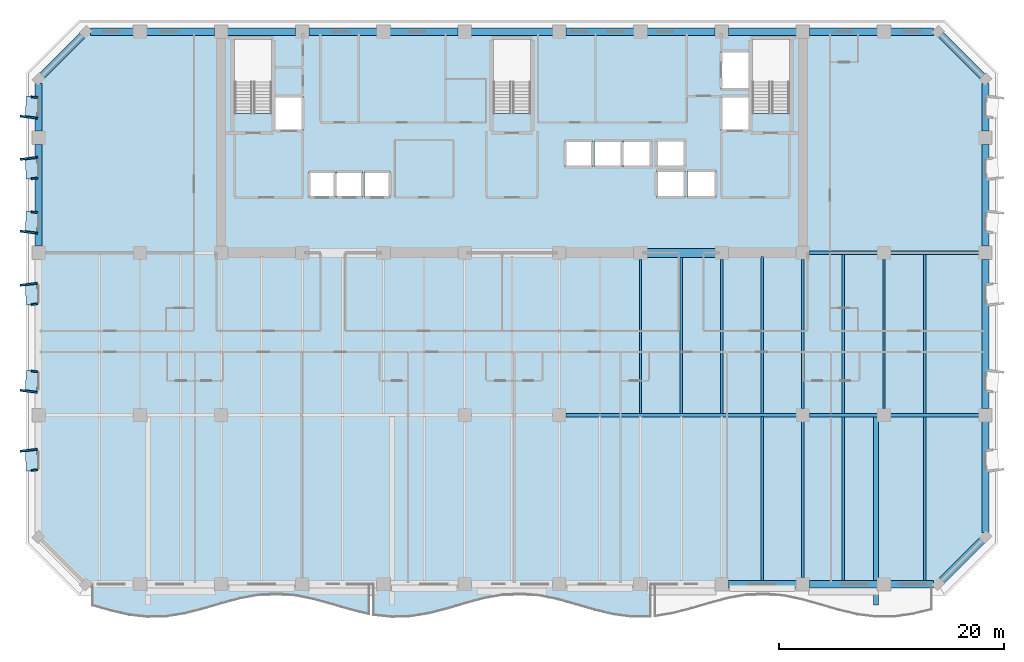
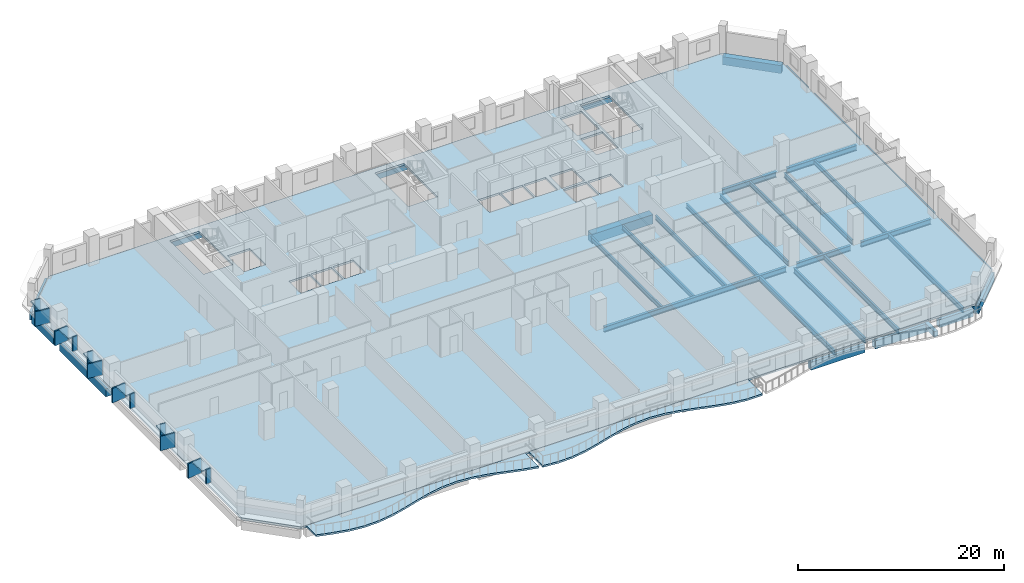
# One storey, part 2 of 14: 42 beams, 18 plates, 3 slabs.
"""IFC4 building model written with IfcOpenShell, lengths in metres."""

from ifc_helpers import new_model, si_unit, direction, frame, origin, origin_2d, place, context, subcontext, project, spatial, polyline, rectangle, i_section, outline, extrude, material, layer, layer_set, material_profile, profile_set, type_object, element, save


model = new_model("IFC4")

# Units and contexts
model_context = context("Model", 3, precision=1e-05, world=origin(), true_north=direction((0.0, 1.0)))
body_context = subcontext(model_context, "Body", "Model", "MODEL_VIEW")
ifc_project = project(units=[si_unit("LENGTHUNIT", "METRE"), si_unit("AREAUNIT", "SQUARE_METRE"), si_unit("VOLUMEUNIT", "CUBIC_METRE"), si_unit("PLANEANGLEUNIT", "RADIAN"), si_unit("MASSUNIT", "GRAM", prefix="KILO")], contexts=[model_context])

# Site, building, storey
site_placement = place(None, origin())
site = spatial("IfcSite", under=ifc_project, at=site_placement, CompositionType="ELEMENT")
building_placement = place(site_placement, origin())
building = spatial("IfcBuilding", under=site, at=building_placement, Name="Kaelvorn Grand Hotel", CompositionType="ELEMENT")
storey_placement = place(building_placement, frame((0.0, 0.0, 93.050048828125)))
storey = spatial("IfcBuildingStorey", under=building, at=storey_placement, Name="L21", CompositionType="ELEMENT", Elevation=93.050048828125)

# Beams
ifc_material_1 = material(Name="Steel S355", Category="steel")
ifc_material_profile_1 = material_profile(ifc_material_1, i_section(OverallWidth=0.300048828125, OverallDepth=0.64990234375, WebThickness=0.01611328125, FlangeThickness=0.031005859375, FilletRadius=0.027099609375, at=origin_2d()), Name="HEB 650")
ifc_profile_set_1 = profile_set([ifc_material_profile_1], Name="Steel S355")
beam_type_1 = type_object("IfcBeamType", Name="BM-G-HEB650-S355", PredefinedType="BEAM", material=ifc_profile_set_1)
beam_1_placement = place(storey_placement, frame((46.784912109375, 15.0, -0.56494140625), z_axis=(1.0, 0.0, 0.0), x_axis=(0.0, 1.0, 0.0)))
element("IfcBeam", 1, at=beam_1_placement, inside=storey, type_object=beam_type_1, Name="L21 Primary Spine Steel Girder G-15 05", PredefinedType="BEAM", context=body_context, shape_type="SweptSolid", body=[
    extrude(i_section(OverallWidth=0.300048828125, OverallDepth=0.64990234375, WebThickness=0.01611328125, FlangeThickness=0.031005859375, FilletRadius=0.027099609375, at=origin_2d()), origin(), (0.0, 0.0, 1.0), 20.43017578125),
])
beam_2_placement = place(storey_placement, frame((68.385009765625, 15.0, -0.56494140625), z_axis=(1.0, 0.0, 0.0), x_axis=(0.0, 1.0, 0.0)))
element("IfcBeam", 2, at=beam_2_placement, inside=storey, type_object=beam_type_1, Name="L21 Primary Spine Steel Girder G-15 06", PredefinedType="BEAM", context=body_context, shape_type="SweptSolid", body=[
    extrude(i_section(OverallWidth=0.300048828125, OverallDepth=0.64990234375, WebThickness=0.01611328125, FlangeThickness=0.031005859375, FilletRadius=0.027099609375, at=origin_2d()), origin(), (0.0, 0.0, 1.0), 6.030029296875),
])
beam_3_placement = place(storey_placement, frame((75.5849609375, 15.0, -0.56494140625), z_axis=(1.0, 0.0, 0.0), x_axis=(0.0, 1.0, 0.0)))
element("IfcBeam", 3, at=beam_3_placement, inside=storey, type_object=beam_type_1, Name="L21 Primary Spine Steel Girder G-15 07", PredefinedType="BEAM", context=body_context, shape_type="SweptSolid", body=[
    extrude(i_section(OverallWidth=0.300048828125, OverallDepth=0.64990234375, WebThickness=0.01611328125, FlangeThickness=0.031005859375, FilletRadius=0.027099609375, at=origin_2d()), origin(), (0.0, 0.0, 1.0), 7.830078125),
])
beam_4_placement = place(storey_placement, frame((68.385009765625, 29.39990234375, -0.56494140625), z_axis=(1.0, 0.0, 0.0), x_axis=(0.0, 1.0, 0.0)))
element("IfcBeam", 4, at=beam_4_placement, inside=storey, type_object=beam_type_1, Name="L21 East Core Wing Steel Girder G-29E 01", PredefinedType="BEAM", context=body_context, shape_type="SweptSolid", body=[
    extrude(i_section(OverallWidth=0.300048828125, OverallDepth=0.64990234375, WebThickness=0.01611328125, FlangeThickness=0.031005859375, FilletRadius=0.027099609375, at=origin_2d()), origin(), (0.0, 0.0, 1.0), 6.030029296875),
])
beam_5_placement = place(storey_placement, frame((75.5849609375, 29.39990234375, -0.56494140625), z_axis=(1.0, 0.0, 0.0), x_axis=(0.0, 1.0, 0.0)))
element("IfcBeam", 5, at=beam_5_placement, inside=storey, type_object=beam_type_1, Name="L21 East Core Wing Steel Girder G-29E 02", PredefinedType="BEAM", context=body_context, shape_type="SweptSolid", body=[
    extrude(i_section(OverallWidth=0.300048828125, OverallDepth=0.64990234375, WebThickness=0.01611328125, FlangeThickness=0.031005859375, FilletRadius=0.027099609375, at=origin_2d()), origin(), (0.0, 0.0, 1.0), 7.830078125),
])
ifc_material_profile_2 = material_profile(ifc_material_1, i_section(OverallWidth=0.209228515625, OverallDepth=0.533203125, WebThickness=0.010009765625, FlangeThickness=0.015625, FilletRadius=0.0126953125, at=origin_2d()), Name="UB 533x210x92")
ifc_profile_set_2 = profile_set([ifc_material_profile_2], Name="Steel S355")
beam_type_2 = type_object("IfcBeamType", Name="BM-J-UB533-S355", PredefinedType="JOIST", material=ifc_profile_set_2)
beam_6_placement = place(storey_placement, frame((53.39990234375, 15.135009765625, -0.506591796875), z_axis=(0.0, 1.0, 0.0), x_axis=(-1.0, 0.0, 0.0)))
element("IfcBeam", 6, at=beam_6_placement, inside=storey, type_object=beam_type_2, Name="L21 Composite Floor Joist JM-15", PredefinedType="JOIST", context=body_context, shape_type="SweptSolid", body=[
    extrude(i_section(OverallWidth=0.209228515625, OverallDepth=0.533203125, WebThickness=0.010009765625, FlangeThickness=0.015625, FilletRadius=0.0126953125, at=origin_2d()), origin(), (0.0, 0.0, 1.0), 13.679931640625),
])
beam_7_placement = place(storey_placement, frame((57.0, 15.135009765625, -0.506591796875), z_axis=(0.0, 1.0, 0.0), x_axis=(-1.0, 0.0, 0.0)))
element("IfcBeam", 7, at=beam_7_placement, inside=storey, type_object=beam_type_2, Name="L21 Composite Floor Joist JM-16", PredefinedType="JOIST", context=body_context, shape_type="SweptSolid", body=[
    extrude(i_section(OverallWidth=0.209228515625, OverallDepth=0.533203125, WebThickness=0.010009765625, FlangeThickness=0.015625, FilletRadius=0.0126953125, at=origin_2d()), origin(), (0.0, 0.0, 1.0), 13.925048828125),
])
beam_8_placement = place(storey_placement, frame((60.60009765625, 15.135009765625, -0.506591796875), z_axis=(0.0, 1.0, 0.0), x_axis=(-1.0, 0.0, 0.0)))
element("IfcBeam", 8, at=beam_8_placement, inside=storey, type_object=beam_type_2, Name="L21 Composite Floor Joist JM-17", PredefinedType="JOIST", context=body_context, shape_type="SweptSolid", body=[
    extrude(i_section(OverallWidth=0.209228515625, OverallDepth=0.533203125, WebThickness=0.010009765625, FlangeThickness=0.015625, FilletRadius=0.0126953125, at=origin_2d()), origin(), (0.0, 0.0, 1.0), 13.679931640625),
])
beam_9_placement = place(storey_placement, frame((64.199951171875, 15.135009765625, -0.506591796875), z_axis=(0.0, 1.0, 0.0), x_axis=(-1.0, 0.0, 0.0)))
element("IfcBeam", 9, at=beam_9_placement, inside=storey, type_object=beam_type_2, Name="L21 Composite Floor Joist JM-18", PredefinedType="JOIST", context=body_context, shape_type="SweptSolid", body=[
    extrude(i_section(OverallWidth=0.209228515625, OverallDepth=0.533203125, WebThickness=0.010009765625, FlangeThickness=0.015625, FilletRadius=0.0126953125, at=origin_2d()), origin(), (0.0, 0.0, 1.0), 13.925048828125),
])
beam_10_placement = place(storey_placement, frame((67.800048828125, 15.5849609375, -0.506591796875), z_axis=(0.0, 1.0, 0.0), x_axis=(-1.0, 0.0, 0.0)))
element("IfcBeam", 10, at=beam_10_placement, inside=storey, type_object=beam_type_2, Name="L21 Composite Floor Joist JM-19", PredefinedType="JOIST", context=body_context, shape_type="SweptSolid", body=[
    extrude(i_section(OverallWidth=0.209228515625, OverallDepth=0.533203125, WebThickness=0.010009765625, FlangeThickness=0.015625, FilletRadius=0.0126953125, at=origin_2d()), origin(), (0.0, 0.0, 1.0), 13.22998046875),
])
beam_11_placement = place(storey_placement, frame((71.39990234375, 15.135009765625, -0.506591796875), z_axis=(0.0, 1.0, 0.0), x_axis=(-1.0, 0.0, 0.0)))
element("IfcBeam", 11, at=beam_11_placement, inside=storey, type_object=beam_type_2, Name="L21 Composite Floor Joist JM-20", PredefinedType="JOIST", context=body_context, shape_type="SweptSolid", body=[
    extrude(i_section(OverallWidth=0.209228515625, OverallDepth=0.533203125, WebThickness=0.010009765625, FlangeThickness=0.015625, FilletRadius=0.0126953125, at=origin_2d()), origin(), (0.0, 0.0, 1.0), 14.1298828125),
])
beam_12_placement = place(storey_placement, frame((75.0, 15.5849609375, -0.506591796875), z_axis=(0.0, 1.0, 0.0), x_axis=(-1.0, 0.0, 0.0)))
element("IfcBeam", 12, at=beam_12_placement, inside=storey, type_object=beam_type_2, Name="L21 Composite Floor Joist JM-21", PredefinedType="JOIST", context=body_context, shape_type="SweptSolid", body=[
    extrude(i_section(OverallWidth=0.209228515625, OverallDepth=0.533203125, WebThickness=0.010009765625, FlangeThickness=0.015625, FilletRadius=0.0126953125, at=origin_2d()), origin(), (0.0, 0.0, 1.0), 13.22998046875),
])
beam_13_placement = place(storey_placement, frame((78.60009765625, 15.135009765625, -0.506591796875), z_axis=(0.0, 1.0, 0.0), x_axis=(-1.0, 0.0, 0.0)))
element("IfcBeam", 13, at=beam_13_placement, inside=storey, type_object=beam_type_2, Name="L21 Composite Floor Joist JM-22", PredefinedType="JOIST", context=body_context, shape_type="SweptSolid", body=[
    extrude(i_section(OverallWidth=0.209228515625, OverallDepth=0.533203125, WebThickness=0.010009765625, FlangeThickness=0.015625, FilletRadius=0.0126953125, at=origin_2d()), origin(), (0.0, 0.0, 1.0), 14.1298828125),
])
ifc_material_profile_3 = material_profile(ifc_material_1, i_section(OverallWidth=0.22900390625, OverallDepth=0.6123046875, WebThickness=0.011962890625, FlangeThickness=0.01953125, FilletRadius=0.0126953125, at=origin_2d()), Name="UB 610x229x125")
ifc_profile_set_3 = profile_set([ifc_material_profile_3], Name="Steel S355")
beam_type_3 = type_object("IfcBeamType", Name="BM-J-UB610-S355", PredefinedType="JOIST", material=ifc_profile_set_3)
beam_14_placement = place(storey_placement, frame((64.199951171875, 0.31005859375, -0.546142578125), z_axis=(0.0, 1.0, 0.0), x_axis=(-1.0, 0.0, 0.0)))
element("IfcBeam", 14, at=beam_14_placement, inside=storey, type_object=beam_type_3, Name="L21 Composite Floor Joist JS-18", PredefinedType="JOIST", context=body_context, shape_type="SweptSolid", body=[
    extrude(i_section(OverallWidth=0.22900390625, OverallDepth=0.6123046875, WebThickness=0.011962890625, FlangeThickness=0.01953125, FilletRadius=0.0126953125, at=origin_2d()), origin(), (0.0, 0.0, 1.0), 14.554931640625),
])
beam_15_placement = place(storey_placement, frame((67.800048828125, 0.5849609375, -0.546142578125), z_axis=(0.0, 1.0, 0.0), x_axis=(-1.0, 0.0, 0.0)))
element("IfcBeam", 15, at=beam_15_placement, inside=storey, type_object=beam_type_3, Name="L21 Composite Floor Joist JS-19", PredefinedType="JOIST", context=body_context, shape_type="SweptSolid", body=[
    extrude(i_section(OverallWidth=0.22900390625, OverallDepth=0.6123046875, WebThickness=0.011962890625, FlangeThickness=0.01953125, FilletRadius=0.0126953125, at=origin_2d()), origin(), (0.0, 0.0, 1.0), 13.830078125),
])
for number, where, z_axis, x_axis, name in (
    (16, (71.39990234375, 0.31005859375, -0.546142578125), (0.0, 1.0, 0.0), (-1.0, 0.0, 0.0), "L21 Composite Floor Joist JS-20"),
    (17, (78.60009765625, 0.31005859375, -0.546142578125), (0.0, 1.0, 0.0), (-1.0, 0.0, 0.0), "L21 Composite Floor Joist JS-22"),
):
    element("IfcBeam", number, at=place(storey_placement, frame(where, z_axis=z_axis, x_axis=x_axis)), inside=storey, type_object=beam_type_3, Name=name, PredefinedType="JOIST", context=body_context, shape_type="SweptSolid", body=[
        extrude(i_section(OverallWidth=0.22900390625, OverallDepth=0.6123046875, WebThickness=0.011962890625, FlangeThickness=0.01953125, FilletRadius=0.0126953125, at=origin_2d()), origin(), (0.0, 0.0, 1.0), 14.554931640625),
    ])
ifc_material_2 = material(Name="Concrete C60/75", Category="concrete")
ifc_material_profile_4 = material_profile(ifc_material_2, rectangle(XDim=0.800048828125, YDim=1.10009765625, at=origin_2d()), Name="RC LINTEL 800x1100")
ifc_profile_set_4 = profile_set([ifc_material_profile_4], Name="Concrete C60/75")
beam_type_4 = type_object("IfcBeamType", Name="BM-LIN-800x1100-C60", PredefinedType="LINTEL", material=ifc_profile_set_4)
beam_16_placement = place(storey_placement, frame((53.580078125, 29.39990234375, -0.7900390625), z_axis=(1.0, 0.0, 0.0), x_axis=(0.0, 1.0, 0.0)))
element("IfcBeam", 18, at=beam_16_placement, inside=storey, type_object=beam_type_4, Name="L21 Rear-Core Coupling Lintel Beam CB1-03", PredefinedType="LINTEL", context=body_context, shape_type="SweptSolid", body=[
    extrude(rectangle(XDim=0.800048828125, YDim=1.10009765625, at=origin_2d()), origin(), (0.0, 0.0, 1.0), 6.83984375),
])
ifc_material_3 = material(Name="Concrete C40/50", Category="concrete")
ifc_material_profile_5 = material_profile(ifc_material_3, rectangle(XDim=0.449951171875, YDim=0.64990234375, at=origin_2d()), Name="RC RIB 450x650")
ifc_profile_set_5 = profile_set([ifc_material_profile_5], Name="Concrete C40/50")
beam_type_5 = type_object("IfcBeamType", Name="BM-RIB-450x650-C40", PredefinedType="SPANDREL", material=ifc_profile_set_5)
beam_17_placement = place(storey_placement, frame((74.293212890625, -1.85009765625, -0.545166015625), z_axis=(0.0, 1.0, 0.0), x_axis=(-1.0, 0.0, 0.0)))
element("IfcBeam", 19, at=beam_17_placement, inside=storey, type_object=beam_type_5, Name="L21 Cantilevered Balcony Back-Span Rib RB1-3", PredefinedType="SPANDREL", context=body_context, shape_type="SweptSolid", body=[
    extrude(rectangle(XDim=0.449951171875, YDim=0.64990234375, at=origin_2d()), origin(), (0.0, 0.0, 1.0), 16.715087890625),
])
ifc_material_profile_6 = material_profile(ifc_material_2, rectangle(XDim=0.64990234375, YDim=0.949951171875, at=origin_2d()), Name="RC SPANDREL 650x950")
ifc_profile_set_6 = profile_set([ifc_material_profile_6], Name="Concrete C60/75")
beam_type_6 = type_object("IfcBeamType", Name="BM-SP-650x950-C60", PredefinedType="SPANDREL", material=ifc_profile_set_6)
for number, where, z_axis, x_axis, name in (
    (20, (61.18505859375, 0.0, -0.715087890625), (1.0, 0.0, 0.0), (0.0, 1.0, 0.0), "L21 South Perimeter Spandrel 09"),
    (21, (68.385009765625, 0.0, -0.715087890625), (1.0, 0.0, 0.0), (0.0, 1.0, 0.0), "L21 South Perimeter Spandrel 10"),
):
    element("IfcBeam", number, at=place(storey_placement, frame(where, z_axis=z_axis, x_axis=x_axis)), inside=storey, type_object=beam_type_6, Name=name, PredefinedType="SPANDREL", context=body_context, shape_type="SweptSolid", body=[
        extrude(rectangle(XDim=0.64990234375, YDim=0.949951171875, at=origin_2d()), origin(), (0.0, 0.0, 1.0), 6.030029296875),
    ])
for number, where, z_axis, x_axis, name in (
    (22, (75.5849609375, 0.0, -0.715087890625), (1.0, 0.0, 0.0), (0.0, 1.0, 0.0), "L21 South Perimeter Spandrel 11"),
    (23, (4.60498046875, 49.0, -0.715087890625), (1.0, 0.0, 0.0), (0.0, 1.0, 0.0), "L21 North Perimeter Spandrel 01"),
):
    element("IfcBeam", number, at=place(storey_placement, frame(where, z_axis=z_axis, x_axis=x_axis)), inside=storey, type_object=beam_type_6, Name=name, PredefinedType="SPANDREL", context=body_context, shape_type="SweptSolid", body=[
        extrude(rectangle(XDim=0.64990234375, YDim=0.949951171875, at=origin_2d()), origin(), (0.0, 0.0, 1.0), 3.81005859375),
    ])
for number, where, z_axis, x_axis, name in (
    (24, (9.5849609375, 49.0, -0.715087890625), (1.0, 0.0, 0.0), (0.0, 1.0, 0.0), "L21 North Perimeter Spandrel 02"),
    (25, (16.784912109375, 49.0, -0.715087890625), (1.0, 0.0, 0.0), (0.0, 1.0, 0.0), "L21 North Perimeter Spandrel 03"),
):
    element("IfcBeam", number, at=place(storey_placement, frame(where, z_axis=z_axis, x_axis=x_axis)), inside=storey, type_object=beam_type_6, Name=name, PredefinedType="SPANDREL", context=body_context, shape_type="SweptSolid", body=[
        extrude(rectangle(XDim=0.64990234375, YDim=0.949951171875, at=origin_2d()), origin(), (0.0, 0.0, 1.0), 6.030029296875),
    ])
beam_18_placement = place(storey_placement, frame((23.985107421875, 49.0, -0.715087890625), z_axis=(1.0, 0.0, 0.0), x_axis=(0.0, 1.0, 0.0)))
element("IfcBeam", 26, at=beam_18_placement, inside=storey, type_object=beam_type_6, Name="L21 North Perimeter Spandrel 04", PredefinedType="SPANDREL", context=body_context, shape_type="SweptSolid", body=[
    extrude(rectangle(XDim=0.64990234375, YDim=0.949951171875, at=origin_2d()), origin(), (0.0, 0.0, 1.0), 6.02978515625),
])
beam_19_placement = place(storey_placement, frame((31.18505859375, 49.0, -0.715087890625), z_axis=(1.0, 0.0, 0.0), x_axis=(0.0, 1.0, 0.0)))
element("IfcBeam", 27, at=beam_19_placement, inside=storey, type_object=beam_type_6, Name="L21 North Perimeter Spandrel 05", PredefinedType="SPANDREL", context=body_context, shape_type="SweptSolid", body=[
    extrude(rectangle(XDim=0.64990234375, YDim=0.949951171875, at=origin_2d()), origin(), (0.0, 0.0, 1.0), 6.030029296875),
])
beam_20_placement = place(storey_placement, frame((38.385009765625, 49.0, -0.715087890625), z_axis=(1.0, 0.0, 0.0), x_axis=(0.0, 1.0, 0.0)))
element("IfcBeam", 28, at=beam_20_placement, inside=storey, type_object=beam_type_6, Name="L21 North Perimeter Spandrel 06", PredefinedType="SPANDREL", context=body_context, shape_type="SweptSolid", body=[
    extrude(rectangle(XDim=0.64990234375, YDim=0.949951171875, at=origin_2d()), origin(), (0.0, 0.0, 1.0), 7.22998046875),
])
beam_21_placement = place(storey_placement, frame((46.784912109375, 49.0, -0.715087890625), z_axis=(1.0, 0.0, 0.0), x_axis=(0.0, 1.0, 0.0)))
element("IfcBeam", 29, at=beam_21_placement, inside=storey, type_object=beam_type_6, Name="L21 North Perimeter Spandrel 07", PredefinedType="SPANDREL", context=body_context, shape_type="SweptSolid", body=[
    extrude(rectangle(XDim=0.64990234375, YDim=0.949951171875, at=origin_2d()), origin(), (0.0, 0.0, 1.0), 6.030029296875),
])
beam_22_placement = place(storey_placement, frame((53.985107421875, 49.0, -0.715087890625), z_axis=(1.0, 0.0, 0.0), x_axis=(0.0, 1.0, 0.0)))
element("IfcBeam", 30, at=beam_22_placement, inside=storey, type_object=beam_type_6, Name="L21 North Perimeter Spandrel 08", PredefinedType="SPANDREL", context=body_context, shape_type="SweptSolid", body=[
    extrude(rectangle(XDim=0.64990234375, YDim=0.949951171875, at=origin_2d()), origin(), (0.0, 0.0, 1.0), 6.02978515625),
])
for number, where, z_axis, x_axis, name in (
    (31, (61.18505859375, 49.0, -0.715087890625), (1.0, 0.0, 0.0), (0.0, 1.0, 0.0), "L21 North Perimeter Spandrel 09"),
    (32, (68.385009765625, 49.0, -0.715087890625), (1.0, 0.0, 0.0), (0.0, 1.0, 0.0), "L21 North Perimeter Spandrel 10"),
):
    element("IfcBeam", number, at=place(storey_placement, frame(where, z_axis=z_axis, x_axis=x_axis)), inside=storey, type_object=beam_type_6, Name=name, PredefinedType="SPANDREL", context=body_context, shape_type="SweptSolid", body=[
        extrude(rectangle(XDim=0.64990234375, YDim=0.949951171875, at=origin_2d()), origin(), (0.0, 0.0, 1.0), 6.030029296875),
    ])
beam_23_placement = place(storey_placement, frame((75.5849609375, 49.0, -0.715087890625), z_axis=(1.0, 0.0, 0.0), x_axis=(0.0, 1.0, 0.0)))
element("IfcBeam", 33, at=beam_23_placement, inside=storey, type_object=beam_type_6, Name="L21 North Perimeter Spandrel 11", PredefinedType="SPANDREL", context=body_context, shape_type="SweptSolid", body=[
    extrude(rectangle(XDim=0.64990234375, YDim=0.949951171875, at=origin_2d()), origin(), (0.0, 0.0, 1.0), 3.81005859375),
])
beam_24_placement = place(storey_placement, frame((0.0, 29.985107421875, -0.715087890625), z_axis=(0.0, 1.0, 0.0), x_axis=(-1.0, 0.0, 0.0)))
element("IfcBeam", 34, at=beam_24_placement, inside=storey, type_object=beam_type_6, Name="L21 West Perimeter Spandrel 03", PredefinedType="SPANDREL", context=body_context, shape_type="SweptSolid", body=[
    extrude(rectangle(XDim=0.64990234375, YDim=0.949951171875, at=origin_2d()), origin(), (0.0, 0.0, 1.0), 9.02978515625),
])
beam_25_placement = place(storey_placement, frame((0.0, 40.18505859375, -0.715087890625), z_axis=(0.0, 1.0, 0.0), x_axis=(-1.0, 0.0, 0.0)))
element("IfcBeam", 35, at=beam_25_placement, inside=storey, type_object=beam_type_6, Name="L21 West Perimeter Spandrel 04", PredefinedType="SPANDREL", context=body_context, shape_type="SweptSolid", body=[
    extrude(rectangle(XDim=0.64990234375, YDim=0.949951171875, at=origin_2d()), origin(), (0.0, 0.0, 1.0), 4.2099609375),
])
beam_26_placement = place(storey_placement, frame((84.0, 4.60498046875, -0.715087890625), z_axis=(0.0, 1.0, 0.0), x_axis=(-1.0, 0.0, 0.0)))
element("IfcBeam", 36, at=beam_26_placement, inside=storey, type_object=beam_type_6, Name="L21 East Perimeter Spandrel 01", PredefinedType="SPANDREL", context=body_context, shape_type="SweptSolid", body=[
    extrude(rectangle(XDim=0.64990234375, YDim=0.949951171875, at=origin_2d()), origin(), (0.0, 0.0, 1.0), 9.81005859375),
])
beam_27_placement = place(storey_placement, frame((84.0, 15.5849609375, -0.715087890625), z_axis=(0.0, 1.0, 0.0), x_axis=(-1.0, 0.0, 0.0)))
element("IfcBeam", 37, at=beam_27_placement, inside=storey, type_object=beam_type_6, Name="L21 East Perimeter Spandrel 02", PredefinedType="SPANDREL", context=body_context, shape_type="SweptSolid", body=[
    extrude(rectangle(XDim=0.64990234375, YDim=0.949951171875, at=origin_2d()), origin(), (0.0, 0.0, 1.0), 13.22998046875),
])
beam_28_placement = place(storey_placement, frame((84.0, 29.985107421875, -0.715087890625), z_axis=(0.0, 1.0, 0.0), x_axis=(-1.0, 0.0, 0.0)))
element("IfcBeam", 38, at=beam_28_placement, inside=storey, type_object=beam_type_6, Name="L21 East Perimeter Spandrel 03", PredefinedType="SPANDREL", context=body_context, shape_type="SweptSolid", body=[
    extrude(rectangle(XDim=0.64990234375, YDim=0.949951171875, at=origin_2d()), origin(), (0.0, 0.0, 1.0), 9.02978515625),
])
beam_29_placement = place(storey_placement, frame((84.0, 40.18505859375, -0.715087890625), z_axis=(0.0, 1.0, 0.0), x_axis=(-1.0, 0.0, 0.0)))
element("IfcBeam", 39, at=beam_29_placement, inside=storey, type_object=beam_type_6, Name="L21 East Perimeter Spandrel 04", PredefinedType="SPANDREL", context=body_context, shape_type="SweptSolid", body=[
    extrude(rectangle(XDim=0.64990234375, YDim=0.949951171875, at=origin_2d()), origin(), (0.0, 0.0, 1.0), 4.2099609375),
])
for number, where, z_axis, x_axis, name in (
    (40, (79.800048828125, 0.0, -0.715087890625), (0.707106781187, 0.707106781187, 0.0), (-0.707106781187, 0.707106781187, 0.0), "L21 Chamfer Spandrel Beam 1"),
    (41, (84.0, 44.800048828125, -0.715087890625), (-0.707106781187, 0.707106781187, 0.0), (-0.707106781187, -0.707106781187, 0.0), "L21 Chamfer Spandrel Beam 2"),
    (42, (4.199951171875, 49.0, -0.715087890625), (-0.707106781187, -0.707106781187, 0.0), (0.707106781187, -0.707106781187, 0.0), "L21 Chamfer Spandrel Beam 3"),
):
    element("IfcBeam", number, at=place(storey_placement, frame(where, z_axis=z_axis, x_axis=x_axis)), inside=storey, type_object=beam_type_6, Name=name, PredefinedType="SPANDREL", context=body_context, shape_type="SweptSolid", body=[
        extrude(rectangle(XDim=0.64990234375, YDim=0.949951171875, at=origin_2d()), origin(), (0.0, 0.0, 1.0), 5.939697265625),
    ])

# Plates
ifc_material_4 = material(Name="Precast concrete C45/55", Category="concrete")
ifc_layer_1 = layer(ifc_material_4, 0.159912109375)
ifc_layer_set_1 = layer_set([ifc_layer_1], Name="Precast concrete C45/55")
plate_type_1 = type_object("IfcPlateType", Name="PL-FRAME-DEEP-1550", PredefinedType="USERDEFINED", material=ifc_layer_set_1)
for number, where, z_axis, x_axis, name in (
    (43, (-0.864990234375, 11.889892578125, 0.68994140625), (0.0, 0.0, 1.0), (-0.121869343405, 0.992546151641, 0.0), "L21 Tilted Precast Window Frame Fin R-W01"),
    (44, (-0.864990234375, 17.110107421875, 0.68994140625), (0.0, 0.0, 1.0), (0.121869343405, 0.992546151641, 0.0), "L21 Tilted Precast Window Frame Fin L-W02"),
    (45, (-0.864990234375, 26.614990234375, 0.68994140625), (0.0, 0.0, 1.0), (-0.121869343405, 0.992546151641, 0.0), "L21 Tilted Precast Window Frame Fin R-W03"),
    (46, (-0.864990234375, 31.22509765625, 0.68994140625), (0.0, 0.0, 1.0), (0.121869343405, 0.992546151641, 0.0), "L21 Tilted Precast Window Frame Fin L-W04"),
    (47, (-0.864990234375, 37.77490234375, 0.68994140625), (0.0, 0.0, 1.0), (-0.121869343405, 0.992546151641, 0.0), "L21 Tilted Precast Window Frame Fin R-W05"),
    (48, (-0.864990234375, 41.425048828125, 0.68994140625), (0.0, 0.0, 1.0), (0.121869343405, 0.992546151641, 0.0), "L21 Tilted Precast Window Frame Fin L-W06"),
):
    element("IfcPlate", number, at=place(storey_placement, frame(where, z_axis=z_axis, x_axis=x_axis)), inside=storey, type_object=plate_type_1, Name=name, ObjectType="FLANGE_PLATE", PredefinedType="USERDEFINED", context=body_context, shape_type="SweptSolid", body=[
        extrude(rectangle(XDim=0.159912109375, YDim=1.550048828125, at=origin_2d()), origin(), (0.0, 0.0, 1.0), 1.719970703125),
    ])
ifc_layer_2 = layer(ifc_material_4, 0.159912109375)
ifc_layer_set_2 = layer_set([ifc_layer_2], Name="Precast concrete C45/55")
plate_type_2 = type_object("IfcPlateType", Name="PL-FRAME-HEAD-1050", PredefinedType="USERDEFINED", material=ifc_layer_set_2)
for number, where, z_axis, x_axis, name in (
    (49, (-0.614990234375, 11.0, 2.25), (0.0, 0.0, 1.0), (-0.054950179912, 0.998489097451, 0.0), "L21 Precast Window Frame Head Hood H-W01"),
    (50, (-0.614990234375, 18.0, 2.25), (0.0, 0.0, 1.0), (0.054950179912, 0.998489097451, 0.0), "L21 Precast Window Frame Head Hood H-W02"),
    (51, (-0.614990234375, 25.72509765625, 2.25), (0.0, 0.0, 1.0), (-0.054950179912, 0.998489097451, 0.0), "L21 Precast Window Frame Head Hood H-W03"),
    (52, (-0.614990234375, 32.114990234375, 2.25), (0.0, 0.0, 1.0), (0.054950179912, 0.998489097451, 0.0), "L21 Precast Window Frame Head Hood H-W04"),
    (53, (-0.614990234375, 36.885009765625, 2.25), (0.0, 0.0, 1.0), (-0.054950179912, 0.998489097451, 0.0), "L21 Precast Window Frame Head Hood H-W05"),
    (54, (-0.614990234375, 42.31494140625, 2.25), (0.0, 0.0, 1.0), (0.054950179912, 0.998489097451, 0.0), "L21 Precast Window Frame Head Hood H-W06"),
):
    element("IfcPlate", number, at=place(storey_placement, frame(where, z_axis=z_axis, x_axis=x_axis)), inside=storey, type_object=plate_type_2, Name=name, ObjectType="FLANGE_PLATE", PredefinedType="USERDEFINED", context=body_context, shape_type="SweptSolid", body=[
        extrude(rectangle(XDim=1.860107421875, YDim=1.050048828125, at=origin_2d()), origin(), (0.0, 0.0, 1.0), 0.159912109375),
    ])
ifc_layer_3 = layer(ifc_material_4, 0.159912109375)
ifc_layer_set_3 = layer_set([ifc_layer_3], Name="Precast concrete C45/55")
plate_type_3 = type_object("IfcPlateType", Name="PL-FRAME-SHAL-550", PredefinedType="USERDEFINED", material=ifc_layer_set_3)
for number, where, z_axis, x_axis, name in (
    (55, (-0.364990234375, 10.110107421875, 0.68994140625), (0.0, 0.0, 1.0), (-0.121869343405, 0.992546151641, 0.0), "L21 Tilted Precast Window Frame Fin L-W01"),
    (56, (-0.364990234375, 18.889892578125, 0.68994140625), (0.0, 0.0, 1.0), (0.121869343405, 0.992546151641, 0.0), "L21 Tilted Precast Window Frame Fin R-W02"),
    (57, (-0.364990234375, 24.8349609375, 0.68994140625), (0.0, 0.0, 1.0), (-0.121869343405, 0.992546151641, 0.0), "L21 Tilted Precast Window Frame Fin L-W03"),
    (58, (-0.364990234375, 33.0048828125, 0.68994140625), (0.0, 0.0, 1.0), (0.121869343405, 0.992546151641, 0.0), "L21 Tilted Precast Window Frame Fin R-W04"),
    (59, (-0.364990234375, 35.9951171875, 0.68994140625), (0.0, 0.0, 1.0), (-0.121869343405, 0.992546151641, 0.0), "L21 Tilted Precast Window Frame Fin L-W05"),
    (60, (-0.364990234375, 43.205078125, 0.68994140625), (0.0, 0.0, 1.0), (0.121869343405, 0.992546151641, 0.0), "L21 Tilted Precast Window Frame Fin R-W06"),
):
    element("IfcPlate", number, at=place(storey_placement, frame(where, z_axis=z_axis, x_axis=x_axis)), inside=storey, type_object=plate_type_3, Name=name, ObjectType="FLANGE_PLATE", PredefinedType="USERDEFINED", context=body_context, shape_type="SweptSolid", body=[
        extrude(rectangle(XDim=0.159912109375, YDim=0.550048828125, at=origin_2d()), origin(), (0.0, 0.0, 1.0), 1.719970703125),
    ])

# Slabs
ifc_layer_4 = layer(ifc_material_3, 0.219970703125)
ifc_layer_set_4 = layer_set([ifc_layer_4], Name="Concrete C40/50")
slab_type_1 = type_object("IfcSlabType", Name="SLB-BALC-220-C40", PredefinedType="FLOOR", material=ifc_layer_set_4)
slab_1_placement = place(storey_placement, frame((0.0, 0.0, -0.219970703125)))
element("IfcSlab", 61, at=slab_1_placement, inside=storey, type_object=slab_type_1, Name="L21 Scalloped Wave Balcony Slab 1", PredefinedType="FLOOR", context=body_context, shape_type="SweptSolid", body=[
    extrude(outline(polyline([(4.800048828125, -1.875), (6.435546875, -2.344482421875), (8.071044921875, -2.709716796875), (9.706787109375, -2.889404296875), (11.34228515625, -2.843994140625), (12.977783203125, -2.583251953125), (14.61328125, -2.165283203125), (16.248779296875, -1.6826171875), (17.884521484375, -1.242919921875), (19.52001953125, -0.943603515625), (21.155517578125, -0.85107421875), (22.791015625, -0.986083984375), (24.4267578125, -1.318359375), (26.062255859375, -1.7744140625), (27.69775390625, -2.2529296875), (29.333251953125, -2.647216796875), (29.333251953125, 0.0), (4.800048828125, 0.0), (4.800048828125, -1.875)])), origin(), (0.0, 0.0, 1.0), 0.219970703125),
])
slab_2_placement = place(storey_placement, frame((0.0, 0.0, -0.219970703125)))
element("IfcSlab", 62, at=slab_2_placement, inside=storey, type_object=slab_type_1, Name="L21 Scalloped Wave Balcony Slab 2", PredefinedType="FLOOR", context=body_context, shape_type="SweptSolid", body=[
    extrude(outline(polyline([(29.7333984375, -2.72021484375), (31.368896484375, -2.891845703125), (33.00439453125, -2.837646484375), (34.639892578125, -2.569580078125), (36.275634765625, -2.147216796875), (37.9111328125, -1.66455078125), (39.546630859375, -1.228515625), (41.18212890625, -0.93603515625), (42.81787109375, -0.85205078125), (44.453369140625, -0.995361328125), (46.0888671875, -1.333984375), (47.724365234375, -1.79296875), (49.360107421875, -2.27001953125), (50.99560546875, -2.659423828125), (52.631103515625, -2.87451171875), (54.2666015625, -2.86767578125), (54.2666015625, 0.0), (29.7333984375, 0.0), (29.7333984375, -2.72021484375)])), origin(), (0.0, 0.0, 1.0), 0.219970703125),
])
ifc_layer_5 = layer(ifc_material_3, 0.239990234375)
ifc_layer_set_5 = layer_set([ifc_layer_5], Name="Concrete C40/50")
slab_type_2 = type_object("IfcSlabType", Name="SLB-FLR-240-C40", PredefinedType="FLOOR", material=ifc_layer_set_5)
slab_3_placement = place(storey_placement, frame((0.0, 0.0, -0.239990234375)))
element("IfcSlab", 63, at=slab_3_placement, inside=storey, type_object=slab_type_2, Name="L21 Indoor Suspended Floor Slab", PredefinedType="FLOOR", context=body_context, shape_type="SweptSolid", body=[
    extrude(outline(polyline([(4.199951171875, 0.0), (79.800048828125, 0.0), (84.0, 4.199951171875), (84.0, 44.800048828125), (79.800048828125, 49.0), (4.199951171875, 49.0), (0.0, 44.800048828125), (0.0, 4.199951171875), (4.199951171875, 0.0)]), holes=[polyline([(17.39990234375, 41.760009765625), (17.39990234375, 48.300048828125), (20.679931640625, 48.300048828125), (20.679931640625, 41.760009765625), (17.39990234375, 41.760009765625)]), polyline([(40.360107421875, 41.760009765625), (40.360107421875, 48.300048828125), (43.639892578125, 48.300048828125), (43.639892578125, 41.760009765625), (40.360107421875, 41.760009765625)]), polyline([(63.320068359375, 41.760009765625), (63.320068359375, 48.300048828125), (66.60009765625, 48.300048828125), (66.60009765625, 41.760009765625), (63.320068359375, 41.760009765625)]), polyline([(24.0, 34.300048828125), (24.0, 36.60009765625), (26.300048828125, 36.60009765625), (26.300048828125, 34.300048828125), (24.0, 34.300048828125)]), polyline([(26.449951171875, 34.300048828125), (26.449951171875, 36.60009765625), (28.75, 36.60009765625), (28.75, 34.300048828125), (26.449951171875, 34.300048828125)]), polyline([(28.89990234375, 34.300048828125), (28.89990234375, 36.60009765625), (31.199951171875, 36.60009765625), (31.199951171875, 34.300048828125), (28.89990234375, 34.300048828125)]), polyline([(46.699951171875, 37.0), (46.699951171875, 39.35009765625), (49.14990234375, 39.35009765625), (49.14990234375, 37.0), (46.699951171875, 37.0)]), polyline([(49.300048828125, 37.0), (49.300048828125, 39.35009765625), (51.75, 39.35009765625), (51.75, 37.0), (49.300048828125, 37.0)]), polyline([(51.89990234375, 37.0), (51.89990234375, 39.35009765625), (54.35009765625, 39.35009765625), (54.35009765625, 37.0), (51.89990234375, 37.0)]), polyline([(54.800048828125, 34.300048828125), (54.800048828125, 36.699951171875), (57.35009765625, 36.699951171875), (57.35009765625, 34.300048828125), (54.800048828125, 34.300048828125)]), polyline([(57.550048828125, 34.300048828125), (57.550048828125, 36.699951171875), (60.10009765625, 36.699951171875), (60.10009765625, 34.300048828125), (57.550048828125, 34.300048828125)]), polyline([(54.800048828125, 37.0), (54.800048828125, 39.39990234375), (57.35009765625, 39.39990234375), (57.35009765625, 37.0), (54.800048828125, 37.0)]), polyline([(21.0, 40.199951171875), (21.0, 43.300048828125), (23.449951171875, 43.300048828125), (23.449951171875, 40.199951171875), (21.0, 40.199951171875)]), polyline([(60.550048828125, 40.199951171875), (60.550048828125, 43.300048828125), (63.0, 43.300048828125), (63.0, 40.199951171875), (60.550048828125, 40.199951171875)]), polyline([(60.550048828125, 43.89990234375), (60.550048828125, 47.300048828125), (63.0, 47.300048828125), (63.0, 43.89990234375), (60.550048828125, 43.89990234375)])]), origin(), (0.0, 0.0, 1.0), 0.239990234375),
])

save(model, "model.ifc")
